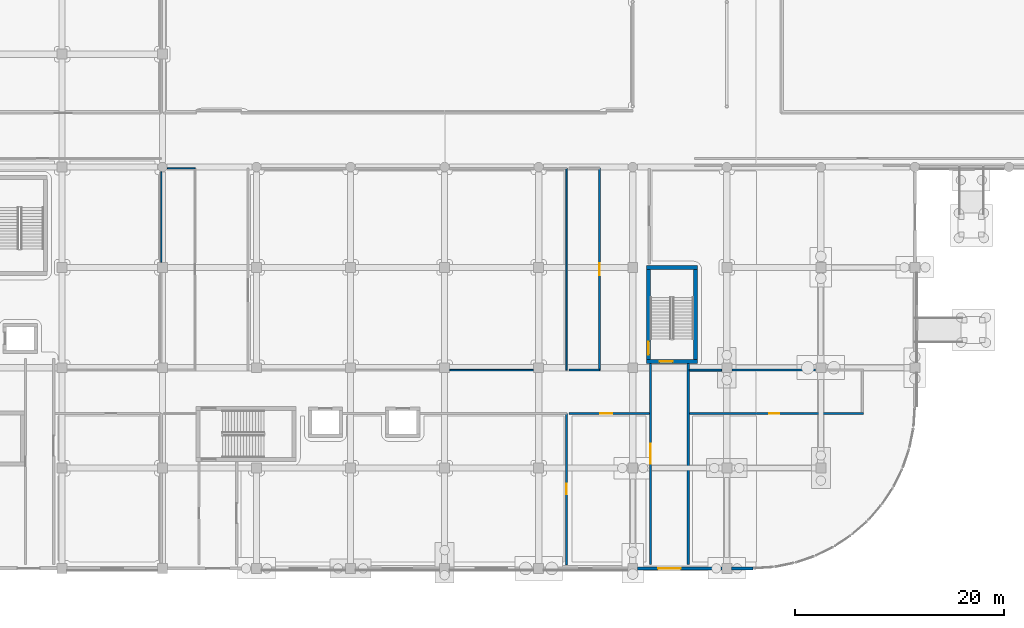
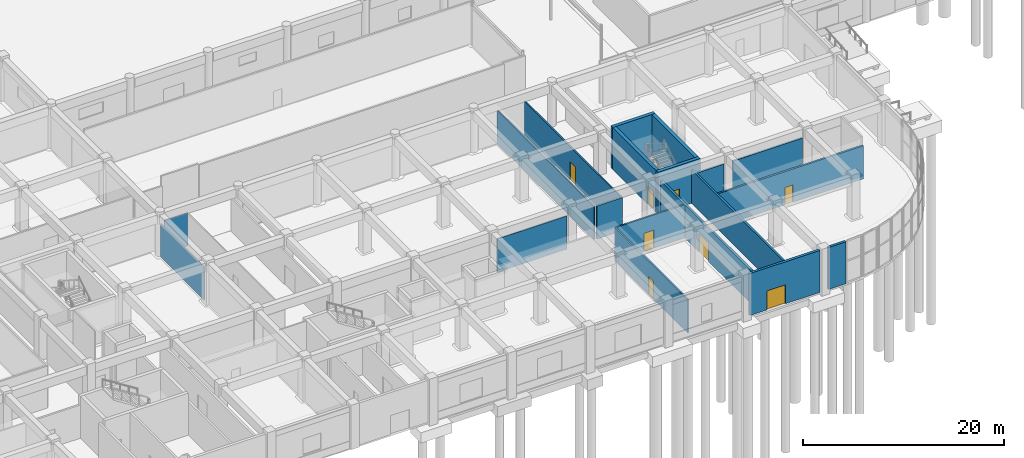
# One storey, part 32 of 74: 19 walls, 8 doors, 8 openings.
"""IFC4 building model written with IfcOpenShell, lengths in metres."""

from ifc_helpers import new_model, si_unit, direction, frame, frame_2d, origin, place, context, subcontext, project, spatial, rectangle, extrude, material, layer, layer_set, type_object, element, fill, save


model = new_model("IFC4")

# Units and contexts
model_context = context("Model", 3, precision=1e-05, world=origin(), true_north=direction((0.0, 1.0)))
body_context = subcontext(model_context, "Body", "Model", "MODEL_VIEW")
ifc_project = project(units=[si_unit("LENGTHUNIT", "METRE"), si_unit("AREAUNIT", "SQUARE_METRE"), si_unit("VOLUMEUNIT", "CUBIC_METRE"), si_unit("PLANEANGLEUNIT", "RADIAN"), si_unit("MASSUNIT", "GRAM", prefix="KILO")], contexts=[model_context])

# Site, building, storey
site_placement = place(None, origin())
site = spatial("IfcSite", under=ifc_project, at=site_placement, CompositionType="ELEMENT")
building_placement = place(site_placement, origin())
building = spatial("IfcBuilding", under=site, at=building_placement, Name="Cendralis Terraced Arcade", CompositionType="ELEMENT")
storey_placement = place(building_placement, origin())
storey = spatial("IfcBuildingStorey", under=building, at=storey_placement, Name="L00", CompositionType="ELEMENT", Elevation=0.0)

# Wall
ifc_material_1 = material(Name="Gypsum plasterboard acoustic partition", Category="concrete")
ifc_layer_1 = layer(ifc_material_1, 0.199951171875, Name="WL-ACOU-200")
ifc_layer_set_1 = layer_set([ifc_layer_1], Name="Gypsum plasterboard acoustic partition")
wall_type_1 = type_object("IfcWallType", Name="WL-ACOU-200", PredefinedType="PARTITIONING", material=ifc_layer_set_1)
wall_1_placement = place(storey_placement, frame((129.705078125, 18.97998046875, 0.0), z_axis=(0.0, 0.0, 1.0), x_axis=(-1.0, 0.0, 0.0)))
element("IfcWall", 1, at=wall_1_placement, inside=storey, type_object=wall_type_1, Name="Interior Partition Wall IW-L00-0292", PredefinedType="PARTITIONING", context=body_context, shape_type="SweptSolid", body=[
    extrude(rectangle(XDim=8.010009765625, YDim=0.199951171875, at=frame_2d((4.0048828125, 0.0))), origin(), (0.0, 0.0, 1.0), 4.030029296875),
])

# Wall, opening, door
ifc_layer_2 = layer(ifc_material_1, 0.2099609375, Name="WL-ACOU-210")
ifc_layer_set_2 = layer_set([ifc_layer_2], Name="Gypsum plasterboard acoustic partition")
wall_type_2 = type_object("IfcWallType", Name="WL-ACOU-210", PredefinedType="PARTITIONING", material=ifc_layer_set_2)
wall_2_placement = place(storey_placement, frame((117.617431640625, 14.820068359375, 0.0), z_axis=(0.0, 0.0, 1.0), x_axis=(1.0, 0.0, 0.0)))
wall_2 = element("IfcWall", 2, at=wall_2_placement, inside=storey, type_object=wall_type_2, Name="Interior Partition Wall IW-L00-0290", PredefinedType="PARTITIONING", context=body_context, shape_type="SweptSolid", body=[
    extrude(rectangle(XDim=16.655029296875, YDim=0.2099609375, at=frame_2d((8.32763671875, 0.0))), origin(), (0.0, 0.0, 1.0), 4.030029296875),
])
opening_1_placement = place(wall_2_placement, frame((7.66259765625, 0.0, 0.0)))
opening_1 = element("IfcOpeningElement", 3, at=opening_1_placement, cuts=wall_2, Name="Opening D-L00-084", PredefinedType="OPENING", context=body_context, shape_type="SweptSolid", body=[
    extrude(rectangle(XDim=0.919921875, YDim=2.10009765625, at=frame_2d((0.4599609375, 1.050048828125))), frame((0.0, 0.116943359375, 0.0), z_axis=(0.0, -1.0, 0.0), x_axis=(1.0, 0.0, 0.0)), (0.0, 0.0, 1.0), 0.23388671875),
])
ifc_material_2 = material(Name="Solid core Andean oak veneer door leaf", Category="aluminium")
door_type_1 = type_object("IfcDoorType", Name="ID-RM-0920x2100", OperationType="NOTDEFINED", PredefinedType="DOOR", material=ifc_material_2)
door_1_placement = place(opening_1_placement, origin())
door_1 = element("IfcDoor", 4, at=door_1_placement, inside=storey, type_object=door_type_1, Name="Culinary Preparation and Bakery Kitchens - Ground Door D-L00-084", OperationType="SINGLE_SWING_RIGHT", OverallHeight=2.10009765625, OverallWidth=0.919921875, PredefinedType="DOOR", context=body_context, shape_type="SweptSolid", body=[
    extrude(rectangle(XDim=0.919921875, YDim=2.10009765625, at=frame_2d((0.4599609375, 1.050048828125))), frame((0.0, 0.02490234375, 0.0), z_axis=(0.0, -1.0, 0.0), x_axis=(1.0, 0.0, 0.0)), (0.0, 0.0, 1.0), 0.050048828125),
])
fill(opening_1, door_1)

ifc_material_3 = material(Name="Concrete f'c 42 MPa", Category="concrete")
ifc_layer_3 = layer(ifc_material_3, 0.3798828125, Name="WL-CORE-380")
ifc_layer_set_3 = layer_set([ifc_layer_3], Name="Concrete f'c 42 MPa")
wall_type_3 = type_object("IfcWallType", Name="WL-CORE-380", PredefinedType="SHEAR", material=ifc_layer_set_3)
wall_3_placement = place(storey_placement, frame((113.52001953125, 19.81005859375, 0.0), z_axis=(0.0, 0.0, 1.0), x_axis=(1.0, 0.0, 0.0)))
wall_3 = element("IfcWall", 5, at=wall_3_placement, inside=storey, type_object=wall_type_3, Name="Stair Core Reinforced Concrete Shear Wall SW-ST-09-L00-S", PredefinedType="SHEAR", context=body_context, shape_type="SweptSolid", body=[
    extrude(rectangle(XDim=4.85986328125, YDim=0.3798828125, at=frame_2d((2.429931640625, 0.0))), origin(), (0.0, 0.0, 1.0), 5.090087890625),
])
opening_2_placement = place(wall_3_placement, frame((1.25, 0.0, 0.0)))
opening_2 = element("IfcOpeningElement", 6, at=opening_2_placement, cuts=wall_3, Name="Opening D-ST-09-EXP", PredefinedType="OPENING", context=body_context, shape_type="SweptSolid", body=[
    extrude(rectangle(XDim=1.25, YDim=2.199951171875, at=frame_2d((0.625, 1.10009765625))), frame((0.0, 0.201904296875, 0.0), z_axis=(0.0, -1.0, 0.0), x_axis=(1.0, 0.0, 0.0)), (0.0, 0.0, 1.0), 0.40380859375),
])
ifc_material_4 = material(Name="Galvanised fire-rated steel door assembly", Category="steel")
door_type_2 = type_object("IfcDoorType", Name="ID-ST-1250x2200", OperationType="NOTDEFINED", PredefinedType="DOOR", material=ifc_material_4)
door_2_placement = place(opening_2_placement, frame((1.25, 0.0, 0.0), z_axis=(0.0, 0.0, 1.0), x_axis=(-1.0, 0.0, 0.0)))
door_2 = element("IfcDoor", 7, at=door_2_placement, inside=storey, type_object=door_type_2, Name="Stair ST-09 Exit Passage Discharge Door", OperationType="SINGLE_SWING_RIGHT", OverallHeight=2.199951171875, OverallWidth=1.25, PredefinedType="DOOR", context=body_context, shape_type="SweptSolid", body=[
    extrude(rectangle(XDim=1.25, YDim=2.199951171875, at=frame_2d((0.625, 1.10009765625))), frame((0.0, 0.02490234375, 0.0), z_axis=(0.0, -1.0, 0.0), x_axis=(1.0, 0.0, 0.0)), (0.0, 0.0, 1.0), 0.050048828125),
])
fill(opening_2, door_2)

# Walls
wall_4_placement = place(storey_placement, frame((113.52001953125, 28.7900390625, 0.0), z_axis=(0.0, 0.0, 1.0), x_axis=(1.0, 0.0, 0.0)))
element("IfcWall", 8, at=wall_4_placement, inside=storey, type_object=wall_type_3, Name="Stair Core Reinforced Concrete Shear Wall SW-ST-09-L00-N", PredefinedType="SHEAR", context=body_context, shape_type="SweptSolid", body=[
    extrude(rectangle(XDim=4.85986328125, YDim=0.3798828125, at=frame_2d((2.429931640625, 0.0))), origin(), (0.0, 0.0, 1.0), 5.090087890625),
])
wall_5_placement = place(storey_placement, frame((118.18994140625, 20.0, 0.0), z_axis=(0.0, 0.0, 1.0), x_axis=(0.0, 1.0, 0.0)))
element("IfcWall", 9, at=wall_5_placement, inside=storey, type_object=wall_type_3, Name="Stair Core Reinforced Concrete Shear Wall SW-ST-09-L00-E", PredefinedType="SHEAR", context=body_context, shape_type="SweptSolid", body=[
    extrude(rectangle(XDim=8.60009765625, YDim=0.3798828125, at=frame_2d((4.300048828125, 0.0))), origin(), (0.0, 0.0, 1.0), 5.090087890625),
])

# Wall, opening, door
wall_6_placement = place(storey_placement, frame((113.7099609375, 20.0, 0.0), z_axis=(0.0, 0.0, 1.0), x_axis=(0.0, 1.0, 0.0)))
wall_6 = element("IfcWall", 10, at=wall_6_placement, inside=storey, type_object=wall_type_3, Name="Stair Core Reinforced Concrete Shear Wall SW-ST-09-L00-W", PredefinedType="SHEAR", context=body_context, shape_type="SweptSolid", body=[
    extrude(rectangle(XDim=8.60009765625, YDim=0.3798828125, at=frame_2d((4.300048828125, 0.0))), origin(), (0.0, 0.0, 1.0), 5.090087890625),
])
opening_3_placement = place(wall_6_placement, frame((0.449951171875, 0.0, 0.0)))
opening_3 = element("IfcOpeningElement", 11, at=opening_3_placement, cuts=wall_6, Name="Opening D-ST-09-L00", PredefinedType="OPENING", context=body_context, shape_type="SweptSolid", body=[
    extrude(rectangle(XDim=1.25, YDim=2.199951171875, at=frame_2d((0.625, 1.10009765625))), frame((0.0, 0.201904296875, 0.0), z_axis=(0.0, -1.0, 0.0), x_axis=(1.0, 0.0, 0.0)), (0.0, 0.0, 1.0), 0.40380859375),
])
door_3_placement = place(opening_3_placement, frame((1.25, 0.0, 0.0), z_axis=(0.0, 0.0, 1.0), x_axis=(-1.0, 0.0, 0.0)))
door_3 = element("IfcDoor", 12, at=door_3_placement, inside=storey, type_object=door_type_2, Name="Protected Stair ST-09 Fire Door (L00)", OperationType="SINGLE_SWING_LEFT", OverallHeight=2.199951171875, OverallWidth=1.25, PredefinedType="DOOR", context=body_context, shape_type="SweptSolid", body=[
    extrude(rectangle(XDim=1.25, YDim=2.199951171875, at=frame_2d((0.625, 1.10009765625))), frame((0.0, 0.02490234375, 0.0), z_axis=(0.0, -1.0, 0.0), x_axis=(1.0, 0.0, 0.0)), (0.0, 0.0, 1.0), 0.050048828125),
])
fill(opening_3, door_3)

# Wall
ifc_material_5 = material(Name="Terracotta clay masonry", Category="masonry")
ifc_layer_4 = layer(ifc_material_5, 0.2900390625, Name="WL-EXT-TER-290")
ifc_layer_set_4 = layer_set([ifc_layer_4], Name="Terracotta clay masonry")
wall_type_4 = type_object("IfcWallType", Name="WL-EXT-TER-290", PredefinedType="SOLIDWALL", material=ifc_layer_set_4)
wall_7_placement = place(storey_placement, frame((123.699951171875, 0.0, 0.0), z_axis=(0.0, 0.0, 1.0), x_axis=(-1.0, 0.0, 0.0)))
element("IfcWall", 13, at=wall_7_placement, inside=storey, type_object=wall_type_4, Name="Exterior Architectural Wall EW-L00-0001", PredefinedType="SOLIDWALL", context=body_context, shape_type="SweptSolid", body=[
    extrude(rectangle(XDim=2.02685546875, YDim=0.2900390625, at=frame_2d((1.013427734375, 0.0))), origin(), (0.0, 0.0, 1.0), 5.090087890625),
])

# Wall, opening, door
wall_8_placement = place(storey_placement, frame((120.72509765625, 0.0, 0.0), z_axis=(0.0, 0.0, 1.0), x_axis=(-1.0, 0.0, 0.0)))
wall_8 = element("IfcWall", 14, at=wall_8_placement, inside=storey, type_object=wall_type_4, Name="Exterior Architectural Wall EW-L00-0002", PredefinedType="SOLIDWALL", context=body_context, shape_type="SweptSolid", body=[
    extrude(rectangle(XDim=8.050048828125, YDim=0.2900390625, at=frame_2d((4.02490234375, 0.0))), origin(), (0.0, 0.0, 1.0), 5.090087890625),
])
opening_4_placement = place(wall_8_placement, frame((3.949951171875, 0.0, 0.0)))
opening_4 = element("IfcOpeningElement", 15, at=opening_4_placement, cuts=wall_8, Name="Opening EX-19", PredefinedType="OPENING", context=body_context, shape_type="SweptSolid", body=[
    extrude(rectangle(XDim=2.14990234375, YDim=2.300048828125, at=frame_2d((1.074951171875, 1.14990234375))), frame((0.0, 0.156982421875, 0.0), z_axis=(0.0, -1.0, 0.0), x_axis=(1.0, 0.0, 0.0)), (0.0, 0.0, 1.0), 0.31396484375),
])
ifc_material_6 = material(Name="Powder-coated thermally broken aluminium and glass", Category="aluminium")
door_type_3 = type_object("IfcDoorType", Name="ED-PASS-2150x2300", OperationType="DOUBLE_DOOR_SINGLE_SWING", PredefinedType="DOOR", material=ifc_material_6)
door_4_placement = place(opening_4_placement, origin())
door_4 = element("IfcDoor", 16, at=door_4_placement, inside=storey, type_object=door_type_3, Name="Exit Passage ST-09 Final Exit Door EX-19", OperationType="DOUBLE_DOOR_SINGLE_SWING", OverallHeight=2.300048828125, OverallWidth=2.14990234375, PredefinedType="DOOR", context=body_context, shape_type="SweptSolid", body=[
    extrude(rectangle(XDim=2.14990234375, YDim=2.300048828125, at=frame_2d((1.074951171875, 1.14990234375))), frame((0.0, 0.02490234375, 0.0), z_axis=(0.0, -1.0, 0.0), x_axis=(1.0, 0.0, 0.0)), (0.0, 0.0, 1.0), 0.050048828125),
])
fill(opening_4, door_4)

ifc_material_7 = material(Name="Autoclaved aerated concrete blockwork", Category="masonry")
ifc_layer_5 = layer(ifc_material_7, 0.235107421875, Name="WL-FIRE-235")
ifc_layer_set_5 = layer_set([ifc_layer_5], Name="Autoclaved aerated concrete blockwork")
wall_type_5 = type_object("IfcWallType", Name="WL-FIRE-235", PredefinedType="PARTITIONING", material=ifc_layer_set_5)
wall_9_placement = place(storey_placement, frame((113.89990234375, 0.35009765625, 0.0), z_axis=(0.0, 0.0, 1.0), x_axis=(0.0, 1.0, 0.0)))
wall_9 = element("IfcWall", 17, at=wall_9_placement, inside=storey, type_object=wall_type_5, Name="Protected Exit Passage 2-Hour Wall EP-ST09-W", PredefinedType="PARTITIONING", context=body_context, shape_type="SweptSolid", body=[
    extrude(rectangle(XDim=19.25, YDim=0.235107421875, at=frame_2d((9.625, 0.0))), origin(), (0.0, 0.0, 1.0), 4.030029296875),
])
opening_5_placement = place(wall_9_placement, frame((9.675048828125, 0.0, 0.0)))
opening_5 = element("IfcOpeningElement", 18, at=opening_5_placement, cuts=wall_9, Name="Opening D-EP-ST09-W", PredefinedType="OPENING", context=body_context, shape_type="SweptSolid", body=[
    extrude(rectangle(XDim=1.89990234375, YDim=2.25, at=frame_2d((0.949951171875, 1.125))), frame((0.0, 0.12939453125, 0.0), z_axis=(0.0, -1.0, 0.0), x_axis=(1.0, 0.0, 0.0)), (0.0, 0.0, 1.0), 0.259033203125),
])
door_type_4 = type_object("IfcDoorType", Name="ID-EXP-1900x2250", OperationType="DOUBLE_DOOR_SINGLE_SWING", PredefinedType="DOOR", material=ifc_material_4)
door_5_placement = place(opening_5_placement, origin())
door_5 = element("IfcDoor", 19, at=door_5_placement, inside=storey, type_object=door_type_4, Name="Protected Exit Passage Fire Door EP-ST09-W", OperationType="DOUBLE_DOOR_SINGLE_SWING", OverallHeight=2.25, OverallWidth=1.89990234375, PredefinedType="DOOR", context=body_context, shape_type="SweptSolid", body=[
    extrude(rectangle(XDim=1.89990234375, YDim=2.25, at=frame_2d((0.949951171875, 1.125))), frame((0.0, 0.02490234375, 0.0), z_axis=(0.0, -1.0, 0.0), x_axis=(1.0, 0.0, 0.0)), (0.0, 0.0, 1.0), 0.050048828125),
])
fill(opening_5, door_5)

# Walls
wall_10_placement = place(storey_placement, frame((117.5, 0.35009765625, 0.0), z_axis=(0.0, 0.0, 1.0), x_axis=(0.0, 1.0, 0.0)))
element("IfcWall", 20, at=wall_10_placement, inside=storey, type_object=wall_type_5, Name="Protected Exit Passage 2-Hour Wall EP-ST09-E", PredefinedType="PARTITIONING", context=body_context, shape_type="SweptSolid", body=[
    extrude(rectangle(XDim=19.25, YDim=0.235107421875, at=frame_2d((9.625, 0.0))), origin(), (0.0, 0.0, 1.0), 4.030029296875),
])
ifc_layer_6 = layer(ifc_material_1, 0.10791015625, Name="WL-PART-108")
ifc_layer_set_6 = layer_set([ifc_layer_6], Name="Gypsum plasterboard acoustic partition")
wall_type_6 = type_object("IfcWallType", Name="WL-PART-108", PredefinedType="PARTITIONING", material=ifc_layer_set_6)
wall_11_placement = place(storey_placement, frame((67.669921875, 38.280029296875, 0.0), z_axis=(0.0, 0.0, 1.0), x_axis=(1.0, 0.0, 0.0)))
element("IfcWall", 21, at=wall_11_placement, inside=storey, type_object=wall_type_6, Name="Interior Partition Wall IW-L00-0288", PredefinedType="PARTITIONING", context=body_context, shape_type="SweptSolid", body=[
    extrude(rectangle(XDim=2.650146484375, YDim=0.10791015625, at=frame_2d((1.3251953125, 0.0))), origin(), (0.0, 0.0, 1.0), 4.030029296875),
])
ifc_layer_7 = layer(ifc_material_1, 0.114990234375, Name="WL-PART-115")
ifc_layer_set_7 = layer_set([ifc_layer_7], Name="Gypsum plasterboard acoustic partition")
wall_type_7 = type_object("IfcWallType", Name="WL-PART-115", PredefinedType="PARTITIONING", material=ifc_layer_set_7)
wall_12_placement = place(storey_placement, frame((67.080078125, 37.929931640625, 0.0), z_axis=(0.0, 0.0, 1.0), x_axis=(0.0, -1.0, 0.0)))
element("IfcWall", 22, at=wall_12_placement, inside=storey, type_object=wall_type_7, Name="Interior Partition Wall IW-L00-0224", PredefinedType="PARTITIONING", context=body_context, shape_type="SweptSolid", body=[
    extrude(rectangle(XDim=8.635009765625, YDim=0.114990234375, at=frame_2d((4.3173828125, 0.0))), origin(), (0.0, 0.0, 1.0), 4.030029296875),
])
ifc_layer_8 = layer(ifc_material_1, 0.14208984375, Name="WL-PART-142")
ifc_layer_set_8 = layer_set([ifc_layer_8], Name="Gypsum plasterboard acoustic partition")
wall_type_8 = type_object("IfcWallType", Name="WL-PART-142", PredefinedType="PARTITIONING", material=ifc_layer_set_8)
wall_13_placement = place(storey_placement, frame((102.705078125, 18.97998046875, 0.0), z_axis=(0.0, 0.0, 1.0), x_axis=(-1.0, 0.0, 0.0)))
element("IfcWall", 23, at=wall_13_placement, inside=storey, type_object=wall_type_8, Name="Interior Partition Wall IW-L00-0281", PredefinedType="PARTITIONING", context=body_context, shape_type="SweptSolid", body=[
    extrude(rectangle(XDim=8.010009765625, YDim=0.14208984375, at=frame_2d((4.0048828125, 0.0))), origin(), (0.0, 0.0, 1.0), 4.030029296875),
])
ifc_layer_9 = layer(ifc_material_1, 0.154052734375, Name="WL-PART-154")
ifc_layer_set_9 = layer_set([ifc_layer_9], Name="Gypsum plasterboard acoustic partition")
wall_type_9 = type_object("IfcWallType", Name="WL-PART-154", PredefinedType="PARTITIONING", material=ifc_layer_set_9)
wall_14_placement = place(storey_placement, frame((105.8798828125, 38.280029296875, 0.0), z_axis=(0.0, 0.0, 1.0), x_axis=(0.0, -1.0, 0.0)))
element("IfcWall", 24, at=wall_14_placement, inside=storey, type_object=wall_type_9, Name="Interior Partition Wall IW-L00-0278", PredefinedType="PARTITIONING", context=body_context, shape_type="SweptSolid", body=[
    extrude(rectangle(XDim=19.300048828125, YDim=0.154052734375, at=frame_2d((9.64990234375, 0.0))), origin(), (0.0, 0.0, 1.0), 4.030029296875),
])
wall_15_placement = place(storey_placement, frame((109.02001953125, 18.97998046875, 0.0), z_axis=(0.0, 0.0, 1.0), x_axis=(-1.0, 0.0, 0.0)))
element("IfcWall", 25, at=wall_15_placement, inside=storey, type_object=wall_type_9, Name="Interior Partition Wall IW-L00-0299", PredefinedType="PARTITIONING", context=body_context, shape_type="SweptSolid", body=[
    extrude(rectangle(XDim=2.89990234375, YDim=0.154052734375, at=frame_2d((1.449951171875, 0.0))), origin(), (0.0, 0.0, 1.0), 4.030029296875),
])

# Wall, opening, door
ifc_layer_10 = layer(ifc_material_1, 0.1650390625, Name="WL-PART-165")
ifc_layer_set_10 = layer_set([ifc_layer_10], Name="Gypsum plasterboard acoustic partition")
wall_type_10 = type_object("IfcWallType", Name="WL-PART-165", PredefinedType="PARTITIONING", material=ifc_layer_set_10)
wall_16_placement = place(storey_placement, frame((109.02001953125, 38.280029296875, 0.0), z_axis=(0.0, 0.0, 1.0), x_axis=(0.0, -1.0, 0.0)))
wall_16 = element("IfcWall", 26, at=wall_16_placement, inside=storey, type_object=wall_type_10, Name="Interior Partition Wall IW-L00-0297", PredefinedType="PARTITIONING", context=body_context, shape_type="SweptSolid", body=[
    extrude(rectangle(XDim=19.300048828125, YDim=0.1650390625, at=frame_2d((9.64990234375, 0.0))), origin(), (0.0, 0.0, 1.0), 4.030029296875),
])
opening_6_placement = place(wall_16_placement, frame((9.090087890625, 0.0, 0.0)))
opening_6 = element("IfcOpeningElement", 27, at=opening_6_placement, cuts=wall_16, Name="Opening D-L00-087", PredefinedType="OPENING", context=body_context, shape_type="SweptSolid", body=[
    extrude(rectangle(XDim=1.1201171875, YDim=2.179931640625, at=frame_2d((0.56005859375, 1.08984375))), frame((0.0, 0.094482421875, 0.0), z_axis=(0.0, -1.0, 0.0), x_axis=(1.0, 0.0, 0.0)), (0.0, 0.0, 1.0), 0.18896484375),
])
door_type_5 = type_object("IfcDoorType", Name="ID-RM-1120x2180", OperationType="NOTDEFINED", PredefinedType="DOOR", material=ifc_material_2)
door_6_placement = place(opening_6_placement, origin())
door_6 = element("IfcDoor", 28, at=door_6_placement, inside=storey, type_object=door_type_5, Name="Culinary Preparation and Bakery Kitchens - Ground Door D-L00-087", OperationType="SINGLE_SWING_RIGHT", OverallHeight=2.179931640625, OverallWidth=1.1201171875, PredefinedType="DOOR", context=body_context, shape_type="SweptSolid", body=[
    extrude(rectangle(XDim=1.1201171875, YDim=2.179931640625, at=frame_2d((0.56005859375, 1.08984375))), frame((0.0, 0.02490234375, 0.0), z_axis=(0.0, -1.0, 0.0), x_axis=(1.0, 0.0, 0.0)), (0.0, 0.0, 1.0), 0.050048828125),
])
fill(opening_6, door_6)

ifc_layer_11 = layer(ifc_material_1, 0.175048828125, Name="WL-PART-175")
ifc_layer_set_11 = layer_set([ifc_layer_11], Name="Gypsum plasterboard acoustic partition")
wall_type_11 = type_object("IfcWallType", Name="WL-PART-175", PredefinedType="PARTITIONING", material=ifc_layer_set_11)
wall_17_placement = place(storey_placement, frame((106.1201171875, 14.820068359375, 0.0), z_axis=(0.0, 0.0, 1.0), x_axis=(1.0, 0.0, 0.0)))
wall_17 = element("IfcWall", 29, at=wall_17_placement, inside=storey, type_object=wall_type_11, Name="Interior Partition Wall IW-L00-0296", PredefinedType="PARTITIONING", context=body_context, shape_type="SweptSolid", body=[
    extrude(rectangle(XDim=7.662353515625, YDim=0.175048828125, at=frame_2d((3.8310546875, 0.0))), origin(), (0.0, 0.0, 1.0), 4.030029296875),
])
opening_7_placement = place(wall_17_placement, frame((2.985107421875, 0.0, 0.0)))
opening_7 = element("IfcOpeningElement", 30, at=opening_7_placement, cuts=wall_17, Name="Opening D-L00-086", PredefinedType="OPENING", context=body_context, shape_type="SweptSolid", body=[
    extrude(rectangle(XDim=1.14990234375, YDim=2.199951171875, at=frame_2d((0.574951171875, 1.10009765625))), frame((0.0, 0.099609375, 0.0), z_axis=(0.0, -1.0, 0.0), x_axis=(1.0, 0.0, 0.0)), (0.0, 0.0, 1.0), 0.198974609375),
])
door_type_6 = type_object("IfcDoorType", Name="ID-RM-1150x2200", OperationType="NOTDEFINED", PredefinedType="DOOR", material=ifc_material_2)
door_7_placement = place(opening_7_placement, origin())
door_7 = element("IfcDoor", 31, at=door_7_placement, inside=storey, type_object=door_type_6, Name="Culinary Preparation and Bakery Kitchens - Ground Door D-L00-086", OperationType="SINGLE_SWING_LEFT", OverallHeight=2.199951171875, OverallWidth=1.14990234375, PredefinedType="DOOR", context=body_context, shape_type="SweptSolid", body=[
    extrude(rectangle(XDim=1.14990234375, YDim=2.199951171875, at=frame_2d((0.574951171875, 1.10009765625))), frame((0.0, 0.02490234375, 0.0), z_axis=(0.0, -1.0, 0.0), x_axis=(1.0, 0.0, 0.0)), (0.0, 0.0, 1.0), 0.050048828125),
])
fill(opening_7, door_7)

ifc_layer_12 = layer(ifc_material_1, 0.179931640625, Name="WL-PART-180")
ifc_layer_set_12 = layer_set([ifc_layer_12], Name="Gypsum plasterboard acoustic partition")
wall_type_12 = type_object("IfcWallType", Name="WL-PART-180", PredefinedType="PARTITIONING", material=ifc_layer_set_12)
wall_18_placement = place(storey_placement, frame((105.8798828125, 14.820068359375, 0.0), z_axis=(0.0, 0.0, 1.0), x_axis=(0.0, -1.0, 0.0)))
wall_18 = element("IfcWall", 32, at=wall_18_placement, inside=storey, type_object=wall_type_12, Name="Interior Partition Wall IW-L00-0274", PredefinedType="PARTITIONING", context=body_context, shape_type="SweptSolid", body=[
    extrude(rectangle(XDim=14.47998046875, YDim=0.179931640625, at=frame_2d((7.239990234375, 0.0))), origin(), (0.0, 0.0, 1.0), 4.030029296875),
])
opening_8_placement = place(wall_18_placement, frame((6.739990234375, 0.0, 0.0)))
opening_8 = element("IfcOpeningElement", 33, at=opening_8_placement, cuts=wall_18, Name="Opening D-L00-080", PredefinedType="OPENING", context=body_context, shape_type="SweptSolid", body=[
    extrude(rectangle(XDim=1.0, YDim=2.199951171875, at=frame_2d((0.5, 1.10009765625))), frame((0.0, 0.10205078125, 0.0), z_axis=(0.0, -1.0, 0.0), x_axis=(1.0, 0.0, 0.0)), (0.0, 0.0, 1.0), 0.203857421875),
])
door_type_7 = type_object("IfcDoorType", Name="ID-RM-1000x2200", OperationType="NOTDEFINED", PredefinedType="DOOR", material=ifc_material_2)
door_8_placement = place(opening_8_placement, origin())
door_8 = element("IfcDoor", 34, at=door_8_placement, inside=storey, type_object=door_type_7, Name="Gourmet Market Stalls and Delicatessen Food Hall Door D-L00-080", OperationType="SINGLE_SWING_LEFT", OverallHeight=2.199951171875, OverallWidth=1.0, PredefinedType="DOOR", context=body_context, shape_type="SweptSolid", body=[
    extrude(rectangle(XDim=1.0, YDim=2.199951171875, at=frame_2d((0.5, 1.10009765625))), frame((0.0, 0.02490234375, 0.0), z_axis=(0.0, -1.0, 0.0), x_axis=(1.0, 0.0, 0.0)), (0.0, 0.0, 1.0), 0.050048828125),
])
fill(opening_8, door_8)

# Wall
ifc_layer_13 = layer(ifc_material_1, 0.18994140625, Name="WL-PART-190")
ifc_layer_set_13 = layer_set([ifc_layer_13], Name="Gypsum plasterboard acoustic partition")
wall_type_13 = type_object("IfcWallType", Name="WL-PART-190", PredefinedType="PARTITIONING", material=ifc_layer_set_13)
wall_19_placement = place(storey_placement, frame((120.705078125, 18.97998046875, 0.0), z_axis=(0.0, 0.0, 1.0), x_axis=(-1.0, 0.0, 0.0)))
element("IfcWall", 35, at=wall_19_placement, inside=storey, type_object=wall_type_13, Name="Interior Partition Wall IW-L00-0294", PredefinedType="PARTITIONING", context=body_context, shape_type="SweptSolid", body=[
    extrude(rectangle(XDim=3.087646484375, YDim=0.18994140625, at=frame_2d((1.5439453125, 0.0))), origin(), (0.0, 0.0, 1.0), 4.030029296875),
])

save(model, "model.ifc")
